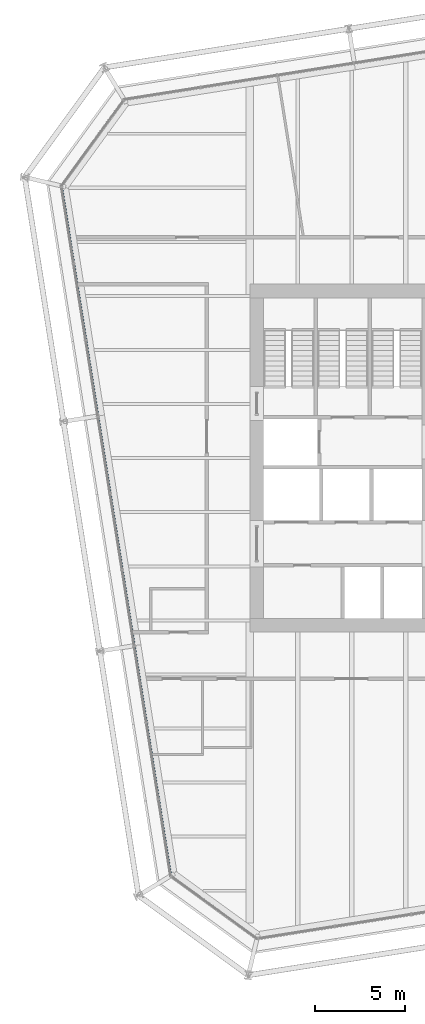
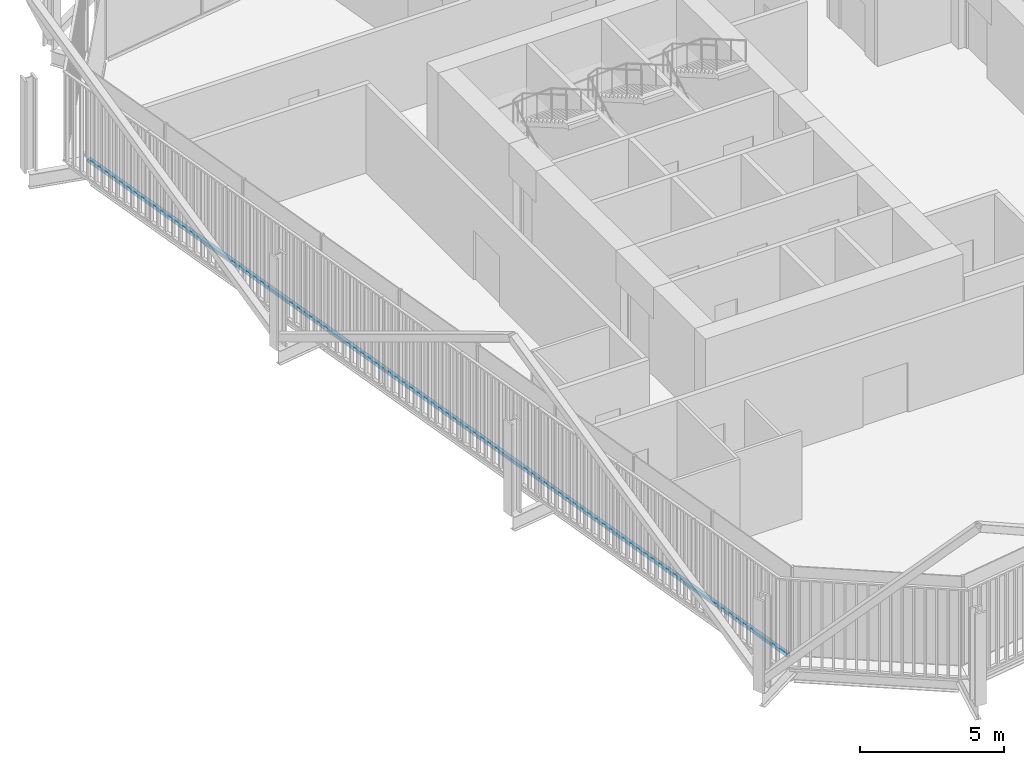
# One storey, part 5 of 22: 1 member, 1 element without a shape of its own.
"""IFC4 building model written with IfcOpenShell, lengths in metres."""

from ifc_helpers import new_model, si_unit, direction, frame, origin, origin_2d, place, context, subcontext, project, spatial, rectangle, extrude, material, layer, layer_set, material_profile, profile_set, type_object, element, aggregate, save


model = new_model("IFC4")

# Units and contexts
model_context = context("Model", 3, precision=1e-05, world=origin(), true_north=direction((0.0, 1.0)))
body_context = subcontext(model_context, "Body", "Model", "MODEL_VIEW")
ifc_project = project(units=[si_unit("LENGTHUNIT", "METRE"), si_unit("AREAUNIT", "SQUARE_METRE"), si_unit("VOLUMEUNIT", "CUBIC_METRE"), si_unit("PLANEANGLEUNIT", "RADIAN"), si_unit("MASSUNIT", "GRAM", prefix="KILO")], contexts=[model_context])

# Site, building, storey
site_placement = place(None, origin())
site = spatial("IfcSite", under=ifc_project, at=site_placement, CompositionType="ELEMENT")
building_placement = place(site_placement, origin())
building = spatial("IfcBuilding", under=site, at=building_placement, Name="Millrace Tower", CompositionType="ELEMENT")
storey_placement = place(building_placement, frame((0.0, 0.0, 160.699951171875)))
storey = spatial("IfcBuildingStorey", under=building, at=storey_placement, Name="L36", CompositionType="ELEMENT", Elevation=160.699951171875)

# Curtain wall, member
ifc_material_1 = material(Name="Aluminium and glass", Category="aluminium")
ifc_layer = layer(ifc_material_1, 0.14990234375)
ifc_layer_set = layer_set([ifc_layer], Name="Aluminium and glass")
curtain_wall_type = type_object("IfcCurtainWallType", Name="CW-1 office vision curtain wall", PredefinedType="NOTDEFINED", material=ifc_layer_set)
curtain_wall_placement = place(storey_placement, origin())
curtain_wall = element("IfcCurtainWall", 1, at=curtain_wall_placement, inside=storey, type_object=curtain_wall_type, Name="Curtain wall C-F08 L36", PredefinedType="NOTDEFINED")
ifc_material_2 = material(Name="Aluminium", Category="aluminium")
ifc_material_profile = material_profile(ifc_material_2, rectangle(XDim=0.14990234375, YDim=0.139892578125, at=origin_2d()))
ifc_profile_set = profile_set([ifc_material_profile], Name="Aluminium")
member_type = type_object("IfcMemberType", Name="CW-1 office vision curtain wall transom", PredefinedType="USERDEFINED", material=ifc_profile_set)
member_placement = place(storey_placement, frame((-25.09619140625, 14.97509765625, 0.070068359375), z_axis=(0.156433422663, -0.987688505691, 0.0), x_axis=(0.987688505691, 0.156433422663, 0.0)))
member = element("IfcMember", 2, at=member_placement, type_object=member_type, Name="CW1 transom C-F08.1", ObjectType="TRANSOM", PredefinedType="USERDEFINED", context=body_context, shape_type="SweptSolid", body=[
    extrude(rectangle(XDim=0.14990234375, YDim=0.139892578125, at=origin_2d()), origin(), (0.0, 0.0, 1.0), 38.5),
])
aggregate(curtain_wall, [member])

save(model, "model.ifc")
